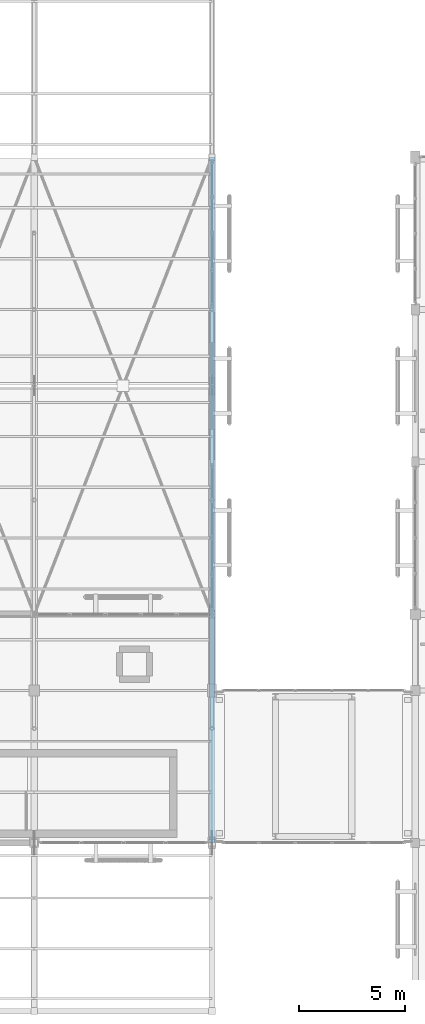
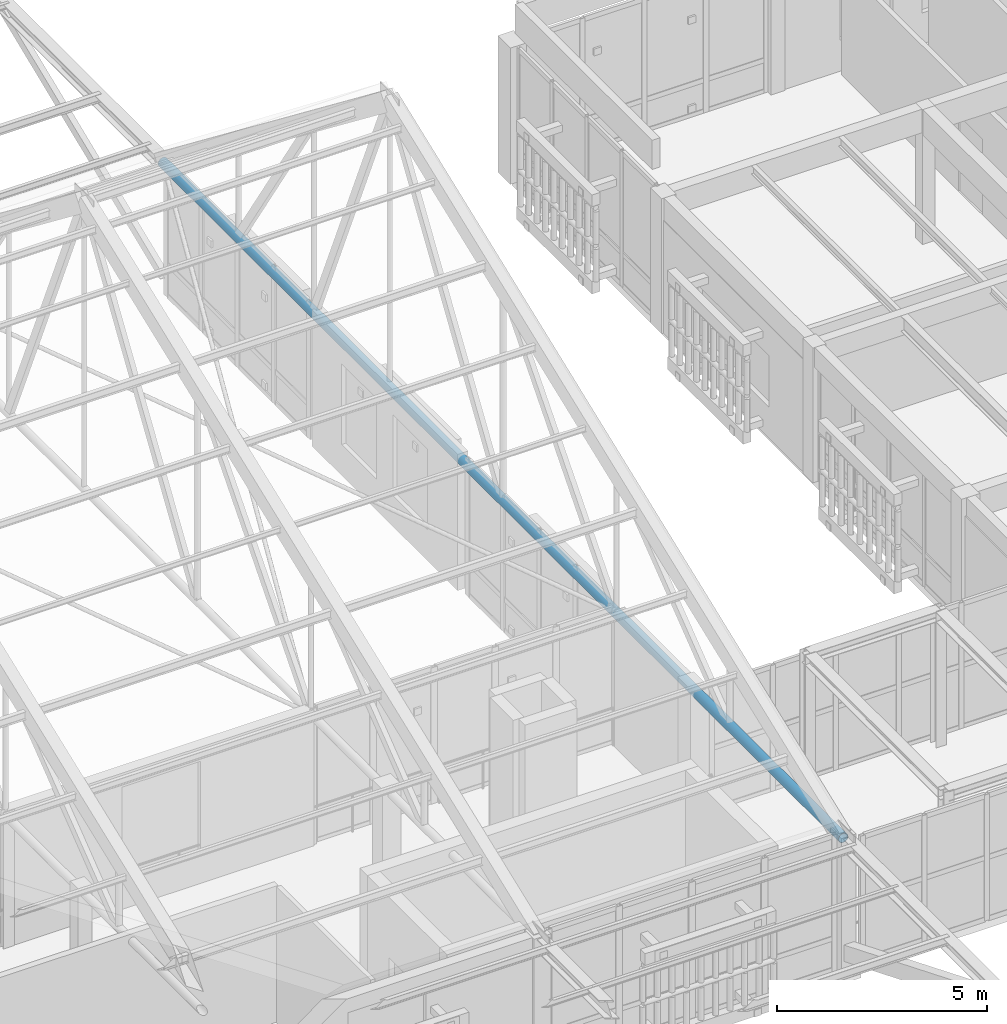
# One storey, part 111 of 217: 1 member.
"""IFC4 building model written with IfcOpenShell, lengths in metres."""

import ifcopenshell
import ifcopenshell.guid

model = None  # the IFC model being written
_history = None  # IfcOwnerHistory: only IFC2X3 demands one
_inside = {}  # id of a spatial element -> (the spatial element, [elements in it])
_under = {}  # id of a project, library or spatial element -> (it, [spatial elements below it])
_declared = {}  # id of a project -> (the project, [libraries it declares])
_typed = {}  # id of a type object -> (the type object, [elements of that type])
_made_of = {}  # id of a material, layer set ... -> (it, [elements and type objects made of it])


def new_model(schema):
    """Start an empty IFC model of exactly this schema.

    Asked for "IFC4X3", IfcOpenShell would pick the latest addendum, in which some entities
    have other attributes; the version numbers below select the first issue.
    IFC2X3 requires an IfcOwnerHistory on every rooted entity: one is made here for all.
    """
    global model, _history
    if schema == "IFC4X3":
        model = ifcopenshell.file(schema_version=(4, 3, 0, 0))
    else:
        model = ifcopenshell.file(schema=schema)
    _inside.clear()
    _under.clear()
    _declared.clear()
    _typed.clear()
    _made_of.clear()
    _history = None
    if model.schema == "IFC2X3":
        org = make("IfcOrganization", Name="unknown")
        user = make(
            "IfcPersonAndOrganization",
            ThePerson=make("IfcPerson", FamilyName="unknown"),
            TheOrganization=org,
        )
        app = make(
            "IfcApplication",
            ApplicationDeveloper=org,
            Version="unknown",
            ApplicationFullName="unknown",
            ApplicationIdentifier="unknown",
        )
        _history = make(
            "IfcOwnerHistory",
            OwningUser=user,
            OwningApplication=app,
            ChangeAction="ADDED",
            CreationDate=0,
        )
    return model


def make(cls, **values):
    """One entity of the class cls with the attributes given. An attribute that is None is left unset."""
    return model.create_entity(
        cls, **{name: value for name, value in values.items() if value is not None}
    )


def rooted(cls, **values):
    """An entity with a GlobalId (a new one), such as an element, a storey or a relation."""
    return make(cls, GlobalId=ifcopenshell.guid.new(), OwnerHistory=_history, **values)


def si_unit(unit_type, name, prefix=None):
    """IfcSIUnit, for example si_unit("LENGTHUNIT", "METRE", prefix="MILLI")."""
    return make("IfcSIUnit", UnitType=unit_type, Prefix=prefix, Name=name)


def assignment(units):
    """IfcUnitAssignment: the units of a project."""
    return None if units is None else make("IfcUnitAssignment", Units=units)


def point(xyz):
    """IfcCartesianPoint."""
    return None if xyz is None else make("IfcCartesianPoint", Coordinates=xyz)


def direction(xyz):
    """IfcDirection."""
    return None if xyz is None else make("IfcDirection", DirectionRatios=xyz)


def frame(location, z_axis=None, x_axis=None):
    """IfcAxis2Placement3D, a coordinate frame: its origin and axes. An axis left out is left unset."""
    return make(
        "IfcAxis2Placement3D",
        Location=point(location),
        Axis=direction(z_axis),
        RefDirection=direction(x_axis),
    )


def frame_2d(location, x_axis=None):
    """IfcAxis2Placement2D, a coordinate frame in the plane: its origin and x axis."""
    return make(
        "IfcAxis2Placement2D", Location=point(location), RefDirection=direction(x_axis)
    )


def origin():
    """The frame at (0, 0, 0) with its axes left unset."""
    return frame((0.0, 0.0, 0.0))


def origin_2d():
    """The frame at (0, 0) in the plane with its x axis left unset."""
    return frame_2d((0.0, 0.0))


def place(relative_to, where):
    """IfcLocalPlacement: puts the frame where relative to a parent placement (None: the world)."""
    return make(
        "IfcLocalPlacement", PlacementRelTo=relative_to, RelativePlacement=where
    )


def context(
    kind, dimensions, precision=None, world=None, true_north=None, identifier=None
):
    """IfcGeometricRepresentationContext, for example the 3D "Model" context."""
    return make(
        "IfcGeometricRepresentationContext",
        ContextIdentifier=identifier,
        ContextType=kind,
        CoordinateSpaceDimension=dimensions,
        Precision=precision,
        WorldCoordinateSystem=world,
        TrueNorth=true_north,
    )


def subcontext(parent, identifier, kind, view, scale=None):
    """IfcGeometricRepresentationSubContext, for example "Body" below "Model"."""
    return make(
        "IfcGeometricRepresentationSubContext",
        ContextIdentifier=identifier,
        ContextType=kind,
        ParentContext=parent,
        TargetScale=scale,
        TargetView=view,
    )


def project(units=None, contexts=None):
    """IfcProject with its units and contexts."""
    return rooted(
        "IfcProject",
        Name="project",
        RepresentationContexts=contexts,
        UnitsInContext=assignment(units),
    )


def spatial(cls, under=None, at=None, **own):
    """A site, building, storey or space (cls), placed at a placement, below another one or the project."""
    s = rooted(cls, ObjectPlacement=at, **own)
    if under is not None:
        _under.setdefault(under.id(), (under, []))[1].append(s)
    return s


def profile(cls, at=None, kind="AREA", **sizes):
    """A parametric profile (cls). Its sizes go by their IFC names, for example OverallWidth=200.0."""
    return make(cls, ProfileType=kind, Position=at, **sizes)


def hollow_circle(**sizes):
    """IfcCircleHollowProfileDef."""
    return profile("IfcCircleHollowProfileDef", **sizes)


def extrude(swept, where, along, depth):
    """IfcExtrudedAreaSolid: the profile swept, set in the frame where, extruded along a direction by depth."""
    return make(
        "IfcExtrudedAreaSolid",
        SweptArea=swept,
        Position=where,
        ExtrudedDirection=direction(along),
        Depth=depth,
    )


def shape(context_of_items, identifier, shape_type, items):
    """IfcShapeRepresentation: the items that make up one representation, for example the "Body"."""
    return make(
        "IfcShapeRepresentation",
        ContextOfItems=context_of_items,
        RepresentationIdentifier=identifier,
        RepresentationType=shape_type,
        Items=items,
    )


def material(Name=None, Category=None):
    """IfcMaterial."""
    return make("IfcMaterial", Name=Name, Category=Category)


def material_profile(
    of_material, cross_section, Name=None, Category=None, Priority=None
):
    """IfcMaterialProfile: a cross section and its material."""
    return make(
        "IfcMaterialProfile",
        Name=Name,
        Material=of_material,
        Profile=cross_section,
        Priority=Priority,
        Category=Category,
    )


def profile_set(profiles, Name=None, composite=None):
    """IfcMaterialProfileSet."""
    return make(
        "IfcMaterialProfileSet",
        Name=Name,
        MaterialProfiles=profiles,
        CompositeProfile=composite,
    )


def made_of(thing, what):
    """Note that an element or type object is made of a material, layer set ...; save() writes the relation."""
    if what is not None:
        _made_of.setdefault(what.id(), (what, []))[1].append(thing)
    return thing


def type_object(cls, material=None, **own):
    """A type object (cls), such as IfcWallType, which elements share."""
    return made_of(rooted(cls, **own), material)


def element(
    cls,
    number,
    at=None,
    inside=None,
    cuts=None,
    type_object=None,
    material=None,
    context=None,
    identifier="Body",
    shape_type=None,
    held_by="IfcProductDefinitionShape",
    body=None,
    shapes=None,
    **own,
):
    """One element of the class cls, such as IfcWall. Its Tag is "e" and its number.

    at: its placement. inside: the storey or other place that contains it. cuts: it is an
    opening in that element (IfcRelVoidsElement). A single representation is given by context,
    identifier, shape_type and body (its items); several are given by shapes. held_by: the class
    of the entity that holds the representations. save() writes the other relations.
    """
    e = rooted(cls, Tag="e%d" % number, ObjectPlacement=at, **own)
    if body is not None:
        shapes = [shape(context, identifier, shape_type, body)]
    if shapes is not None:
        e.Representation = make(held_by, Representations=shapes)
    if inside is not None:
        _inside.setdefault(inside.id(), (inside, []))[1].append(e)
    if cuts is not None:
        rooted(
            "IfcRelVoidsElement", RelatingBuildingElement=cuts, RelatedOpeningElement=e
        )
    if type_object is not None:
        _typed.setdefault(type_object.id(), (type_object, []))[1].append(e)
    return made_of(e, material)


def aggregate(whole, parts):
    """IfcRelAggregates: a whole, such as a stair, and the parts it consists of."""
    return rooted("IfcRelAggregates", RelatingObject=whole, RelatedObjects=parts)


def save(model, path):
    """Write the relations noted so far, then the file.

    IfcRelAggregates (storeys below a building ...), IfcRelContainedInSpatialStructure (elements
    in a storey), IfcRelDefinesByType, IfcRelAssociatesMaterial and IfcRelDeclares: one each for
    every whole, place, type object, material and project.
    """
    for whole, parts in _under.values():
        aggregate(whole, parts)
    for where, things in _inside.values():
        rooted(
            "IfcRelContainedInSpatialStructure",
            RelatedElements=things,
            RelatingStructure=where,
        )
    for kind, things in _typed.values():
        rooted("IfcRelDefinesByType", RelatedObjects=things, RelatingType=kind)
    for what, things in _made_of.values():
        rooted("IfcRelAssociatesMaterial", RelatedObjects=things, RelatingMaterial=what)
    for by, libraries in _declared.values():
        rooted("IfcRelDeclares", RelatingContext=by, RelatedDefinitions=libraries)
    model.write(path)


model = new_model("IFC4")

# Units and contexts
model_context = context("Model", 3, precision=1e-05, world=origin(), true_north=direction((0.0, 1.0)))
body_context = subcontext(model_context, "Body", "Model", "MODEL_VIEW")
ifc_project = project(units=[si_unit("LENGTHUNIT", "METRE"), si_unit("AREAUNIT", "SQUARE_METRE"), si_unit("VOLUMEUNIT", "CUBIC_METRE"), si_unit("PLANEANGLEUNIT", "RADIAN"), si_unit("MASSUNIT", "GRAM", prefix="KILO")], contexts=[model_context])

# Site, building, storey
site_placement = place(None, origin())
site = spatial("IfcSite", under=ifc_project, at=site_placement, CompositionType="ELEMENT")
building_placement = place(site_placement, origin())
building = spatial("IfcBuilding", under=site, at=building_placement, Name="Mazaris Harbour Polytechnic", CompositionType="ELEMENT")
storey_placement = place(building_placement, frame((0.0, 0.0, 9.60009765625)))
storey = spatial("IfcBuildingStorey", under=building, at=storey_placement, Name="L02", CompositionType="ELEMENT", Elevation=9.60009765625)

# Member
ifc_material = material(Name="Steel S355", Category="steel")
ifc_material_profile = material_profile(ifc_material, hollow_circle(Radius=0.136474609375, WallThickness=0.010009765625, at=origin_2d()), Name="CHS 273.0x10.0")
ifc_profile_set = profile_set([ifc_material_profile], Name="Steel S355")
member_type = type_object("IfcMemberType", Name="Steel Tie Chord CHS273", PredefinedType="CHORD", material=ifc_profile_set)
member_placement = place(storey_placement, frame((112.800048828125, 75.60009765625, 3.75), z_axis=(0.0, 1.0, 0.0), x_axis=(-1.0, 0.0, 0.0)))
element("IfcMember", 1, at=member_placement, inside=storey, type_object=member_type, Name="Truss 8 Continuous Tie Chord", PredefinedType="CHORD", context=body_context, shape_type="SweptSolid", body=[
    extrude(hollow_circle(Radius=0.136474609375, WallThickness=0.010009765625, at=origin_2d()), origin(), (0.0, 0.0, 1.0), 32.39990234375),
])

save(model, "model.ifc")
